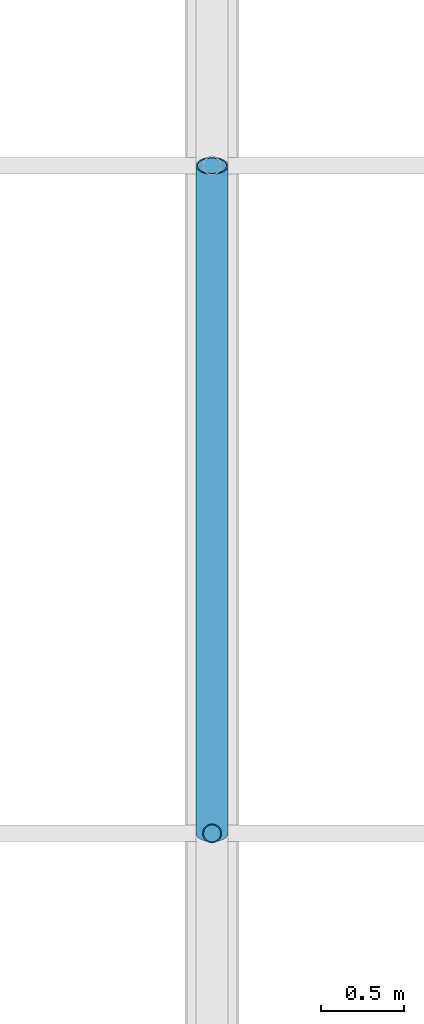
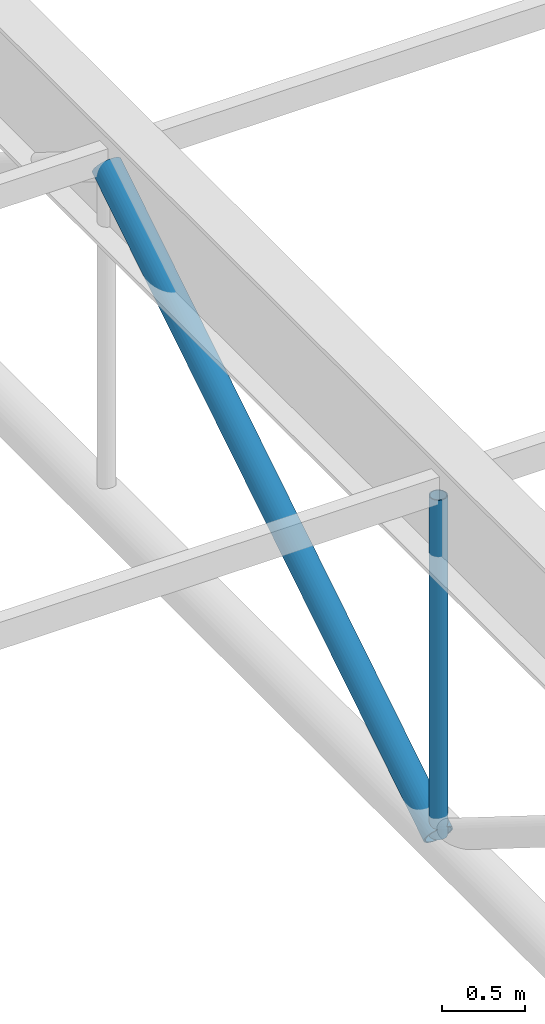
# One storey, part 38 of 91: 2 members.
"""IFC4 building model written with IfcOpenShell, lengths in metres."""

from ifc_helpers import new_model, si_unit, direction, frame, origin, origin_2d, place, context, subcontext, project, spatial, hollow_circle, extrude, material, material_profile, profile_set, type_object, element, save


model = new_model("IFC4")

# Units and contexts
model_context = context("Model", 3, precision=1e-05, world=origin(), true_north=direction((0.0, 1.0)))
body_context = subcontext(model_context, "Body", "Model", "MODEL_VIEW")
ifc_project = project(units=[si_unit("LENGTHUNIT", "METRE"), si_unit("AREAUNIT", "SQUARE_METRE"), si_unit("VOLUMEUNIT", "CUBIC_METRE"), si_unit("PLANEANGLEUNIT", "RADIAN"), si_unit("MASSUNIT", "GRAM", prefix="KILO")], contexts=[model_context])

# Site, building, storey
site_placement = place(None, origin())
site = spatial("IfcSite", under=ifc_project, at=site_placement, CompositionType="ELEMENT")
building_placement = place(site_placement, origin())
building = spatial("IfcBuilding", under=site, at=building_placement, Name="Palais des Congres Ocreval", CompositionType="ELEMENT")
storey_placement = place(building_placement, frame((0.0, 0.0, 8.159912109375)))
storey = spatial("IfcBuildingStorey", under=building, at=storey_placement, Name="L02", CompositionType="ELEMENT", Elevation=8.159912109375)

# Members
ifc_material = material(Name="Steel S355", Category="steel")
ifc_material_profile_1 = material_profile(ifc_material, hollow_circle(Radius=0.096923828125, WallThickness=0.010009765625, at=origin_2d()), Name="CHS 193.7x10")
ifc_profile_set_1 = profile_set([ifc_material_profile_1], Name="Steel S355")
member_type_1 = type_object("IfcMemberType", Name="Diagonal Brace CHS 193.7x10 Steel S355", PredefinedType="BRACE", material=ifc_profile_set_1)
member_1_placement = place(storey_placement, frame((36.0, 98.0, 0.2900390625), z_axis=(0.0, 0.847998304005, 0.529998940003), x_axis=(-1.0, 0.0, 0.0)))
element("IfcMember", 1, at=member_1_placement, inside=storey, type_object=member_type_1, Name="ROOF TRUSS Diagonal V1-36-3", PredefinedType="BRACE", context=body_context, shape_type="SweptSolid", body=[
    extrude(hollow_circle(Radius=0.096923828125, WallThickness=0.010009765625, at=origin_2d()), origin(), (0.0, 0.0, 1.0), 4.717041015625),
])
ifc_material_profile_2 = material_profile(ifc_material, hollow_circle(Radius=0.05712890625, WallThickness=0.00634765625, at=origin_2d()), Name="CHS 114.3x6.3")
ifc_profile_set_2 = profile_set([ifc_material_profile_2], Name="Steel S355")
member_type_2 = type_object("IfcMemberType", Name="Truss Strut CHS 114.3x6.3 Steel S355", PredefinedType="STRUT", material=ifc_profile_set_2)
member_2_placement = place(storey_placement, frame((36.0, 98.0, 0.2900390625), z_axis=(0.0, 0.0, 1.0), x_axis=(1.0, 0.0, 0.0)))
element("IfcMember", 2, at=member_2_placement, inside=storey, type_object=member_type_2, Name="ROOF TRUSS Vertical Strut V1-36-2", PredefinedType="STRUT", context=body_context, shape_type="SweptSolid", body=[
    extrude(hollow_circle(Radius=0.05712890625, WallThickness=0.00634765625, at=origin_2d()), origin(), (0.0, 0.0, 1.0), 2.5),
])

save(model, "model.ifc")
